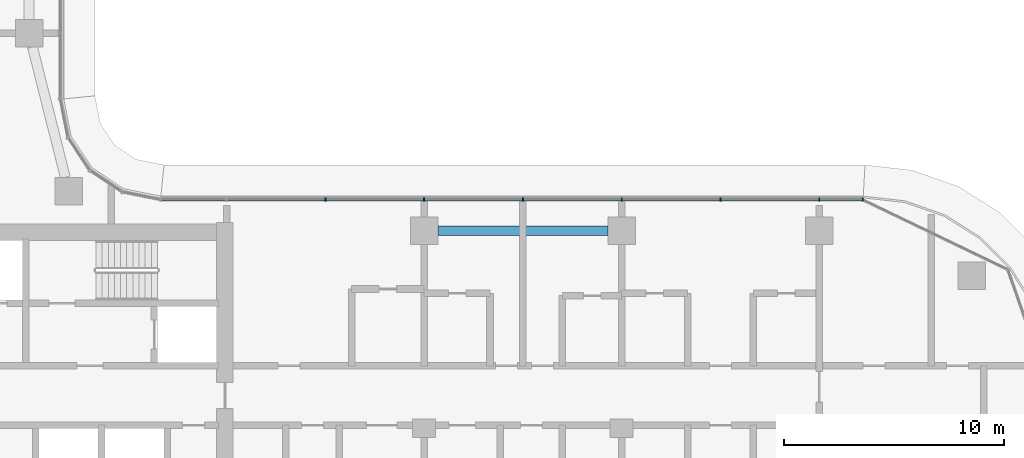
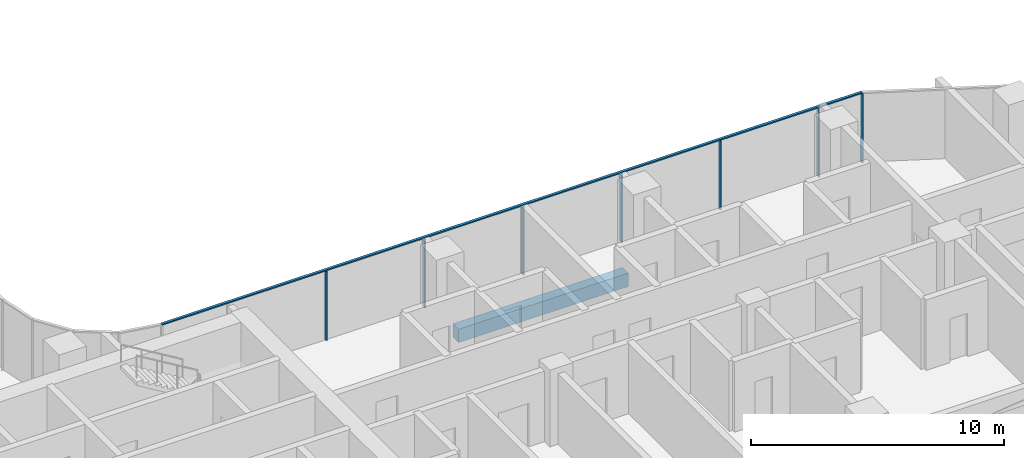
# One storey, part 4 of 25: 8 members, 1 beam, 1 element without a shape of its own.
"""IFC4 building model written with IfcOpenShell, lengths in metres."""

from ifc_helpers import new_model, si_unit, direction, frame, origin, origin_2d, place, context, subcontext, project, spatial, rectangle, extrude, material, material_profile, profile_set, type_object, element, aggregate, save


model = new_model("IFC4")

# Units and contexts
model_context = context("Model", 3, precision=1e-05, world=origin(), true_north=direction((0.0, 1.0)))
body_context = subcontext(model_context, "Body", "Model", "MODEL_VIEW")
ifc_project = project(units=[si_unit("LENGTHUNIT", "METRE"), si_unit("AREAUNIT", "SQUARE_METRE"), si_unit("VOLUMEUNIT", "CUBIC_METRE"), si_unit("PLANEANGLEUNIT", "RADIAN"), si_unit("MASSUNIT", "GRAM", prefix="KILO")], contexts=[model_context])

# Site, building, storey
site_placement = place(None, origin())
site = spatial("IfcSite", under=ifc_project, at=site_placement, CompositionType="ELEMENT")
building_placement = place(site_placement, origin())
building = spatial("IfcBuilding", under=site, at=building_placement, Name="Ogive Portal Towers", CompositionType="ELEMENT")
storey_placement = place(building_placement, frame((0.0, 0.0, 105.60009765625)))
storey = spatial("IfcBuildingStorey", under=building, at=storey_placement, Name="L25", CompositionType="ELEMENT", Elevation=105.60009765625)

# Curtain wall, members
ifc_material_1 = material(Name="Glass, clear low-iron insulated glazing", Category="glass")
curtain_wall_type = type_object("IfcCurtainWallType", Name="CW FRONT RIBBON 4500", PredefinedType="NOTDEFINED", material=ifc_material_1)
curtain_wall_placement = place(storey_placement, origin())
curtain_wall = element("IfcCurtainWall", 1, at=curtain_wall_placement, inside=storey, type_object=curtain_wall_type, Name="A:L25:f12:cw0", PredefinedType="NOTDEFINED")
ifc_material_2 = material(Name="Aluminium 6063 anodised", Category="aluminium")
ifc_material_profile_1 = material_profile(ifc_material_2, rectangle(XDim=0.159912109375, YDim=0.06005859375, at=origin_2d()), Name="AL 60x160")
ifc_profile_set_1 = profile_set([ifc_material_profile_1], Name="Aluminium 6063 anodised")
member_type_1 = type_object("IfcMemberType", Name="CW MULLION 60x160", PredefinedType="MULLION", material=ifc_profile_set_1)
member_1_placement = place(storey_placement, frame((87.481689453125, 40.919921875, 0.0), z_axis=(0.0, 0.0, 1.0), x_axis=(0.0, -1.0, 0.0)))
member_1 = element("IfcMember", 2, at=member_1_placement, type_object=member_type_1, Name="mullion", PredefinedType="MULLION", context=body_context, shape_type="SweptSolid", body=[
    extrude(rectangle(XDim=0.159912109375, YDim=0.06005859375, at=origin_2d()), origin(), (0.0, 0.0, 1.0), 3.33984375),
])
member_2_placement = place(storey_placement, frame((85.5, 40.919921875, 0.0), z_axis=(0.0, 0.0, 1.0), x_axis=(0.0, -1.0, 0.0)))
member_2 = element("IfcMember", 3, at=member_2_placement, type_object=member_type_1, Name="mullion", PredefinedType="MULLION", context=body_context, shape_type="SweptSolid", body=[
    extrude(rectangle(XDim=0.159912109375, YDim=0.06005859375, at=origin_2d()), origin(), (0.0, 0.0, 1.0), 3.33984375),
])
member_3_placement = place(storey_placement, frame((81.0, 40.919921875, 0.0), z_axis=(0.0, 0.0, 1.0), x_axis=(0.0, -1.0, 0.0)))
member_3 = element("IfcMember", 4, at=member_3_placement, type_object=member_type_1, Name="mullion", PredefinedType="MULLION", context=body_context, shape_type="SweptSolid", body=[
    extrude(rectangle(XDim=0.159912109375, YDim=0.06005859375, at=origin_2d()), origin(), (0.0, 0.0, 1.0), 3.33984375),
])
member_4_placement = place(storey_placement, frame((76.5, 40.919921875, 0.0), z_axis=(0.0, 0.0, 1.0), x_axis=(0.0, -1.0, 0.0)))
member_4 = element("IfcMember", 5, at=member_4_placement, type_object=member_type_1, Name="mullion", PredefinedType="MULLION", context=body_context, shape_type="SweptSolid", body=[
    extrude(rectangle(XDim=0.159912109375, YDim=0.06005859375, at=origin_2d()), origin(), (0.0, 0.0, 1.0), 3.33984375),
])
member_5_placement = place(storey_placement, frame((72.0, 40.919921875, 0.0), z_axis=(0.0, 0.0, 1.0), x_axis=(0.0, -1.0, 0.0)))
member_5 = element("IfcMember", 6, at=member_5_placement, type_object=member_type_1, Name="mullion", PredefinedType="MULLION", context=body_context, shape_type="SweptSolid", body=[
    extrude(rectangle(XDim=0.159912109375, YDim=0.06005859375, at=origin_2d()), origin(), (0.0, 0.0, 1.0), 3.33984375),
])
member_6_placement = place(storey_placement, frame((67.5, 40.919921875, 0.0), z_axis=(0.0, 0.0, 1.0), x_axis=(0.0, -1.0, 0.0)))
member_6 = element("IfcMember", 7, at=member_6_placement, type_object=member_type_1, Name="mullion", PredefinedType="MULLION", context=body_context, shape_type="SweptSolid", body=[
    extrude(rectangle(XDim=0.159912109375, YDim=0.06005859375, at=origin_2d()), origin(), (0.0, 0.0, 1.0), 3.33984375),
])
member_7_placement = place(storey_placement, frame((63.0, 40.919921875, 0.0), z_axis=(0.0, 0.0, 1.0), x_axis=(0.0, -1.0, 0.0)))
member_7 = element("IfcMember", 8, at=member_7_placement, type_object=member_type_1, Name="mullion", PredefinedType="MULLION", context=body_context, shape_type="SweptSolid", body=[
    extrude(rectangle(XDim=0.159912109375, YDim=0.06005859375, at=origin_2d()), origin(), (0.0, 0.0, 1.0), 3.33984375),
])
ifc_material_profile_2 = material_profile(ifc_material_2, rectangle(XDim=0.1201171875, YDim=0.06005859375, at=origin_2d()), Name="AL 120x60")
ifc_profile_set_2 = profile_set([ifc_material_profile_2], Name="Aluminium 6063 anodised")
member_type_2 = type_object("IfcMemberType", Name="CW TRANSOM 60x120", PredefinedType="USERDEFINED", material=ifc_profile_set_2)
member_8_placement = place(storey_placement, frame((87.481689453125, 40.919921875, 3.369873046875), z_axis=(-1.0, 0.0, 0.0), x_axis=(0.0, -1.0, 0.0)))
member_8 = element("IfcMember", 9, at=member_8_placement, type_object=member_type_2, Name="transom", ObjectType="TRANSOM", PredefinedType="USERDEFINED", context=body_context, shape_type="SweptSolid", body=[
    extrude(rectangle(XDim=0.1201171875, YDim=0.06005859375, at=origin_2d()), origin(), (0.0, 0.0, 1.0), 31.989501953125),
])
aggregate(curtain_wall, [member_8, member_1, member_2, member_3, member_4, member_5, member_6, member_7])

# Beam
ifc_material_3 = material(Name="Concrete C50/60", Category="concrete")
ifc_material_profile_3 = material_profile(ifc_material_3, rectangle(XDim=0.449951171875, YDim=0.64990234375, at=origin_2d()), Name="RC 450x650")
ifc_profile_set_3 = profile_set([ifc_material_profile_3], Name="Concrete C50/60")
beam_type = type_object("IfcBeamType", Name="SPANDREL BEAM RC 450x650", PredefinedType="BEAM", material=ifc_profile_set_3)
beam_placement = place(storey_placement, frame((68.125, 39.5, -0.625), z_axis=(1.0, 0.0, 0.0), x_axis=(0.0, 1.0, 0.0)))
element("IfcBeam", 10, at=beam_placement, inside=storey, type_object=beam_type, Name="Spandrel beam L25", PredefinedType="BEAM", context=body_context, shape_type="SweptSolid", body=[
    extrude(rectangle(XDim=0.449951171875, YDim=0.64990234375, at=origin_2d()), origin(), (0.0, 0.0, 1.0), 7.75),
])

save(model, "model.ifc")
